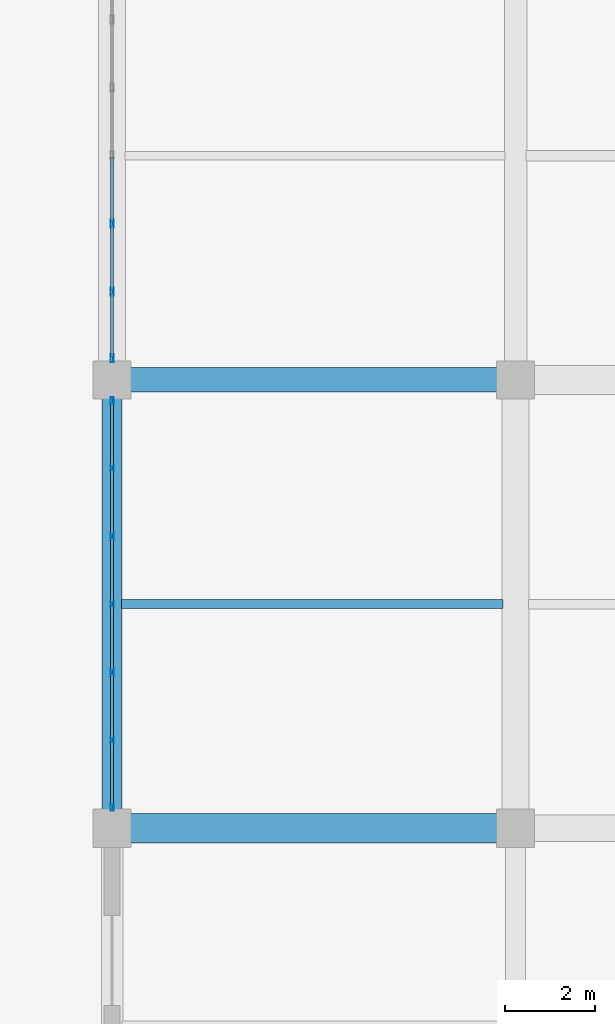
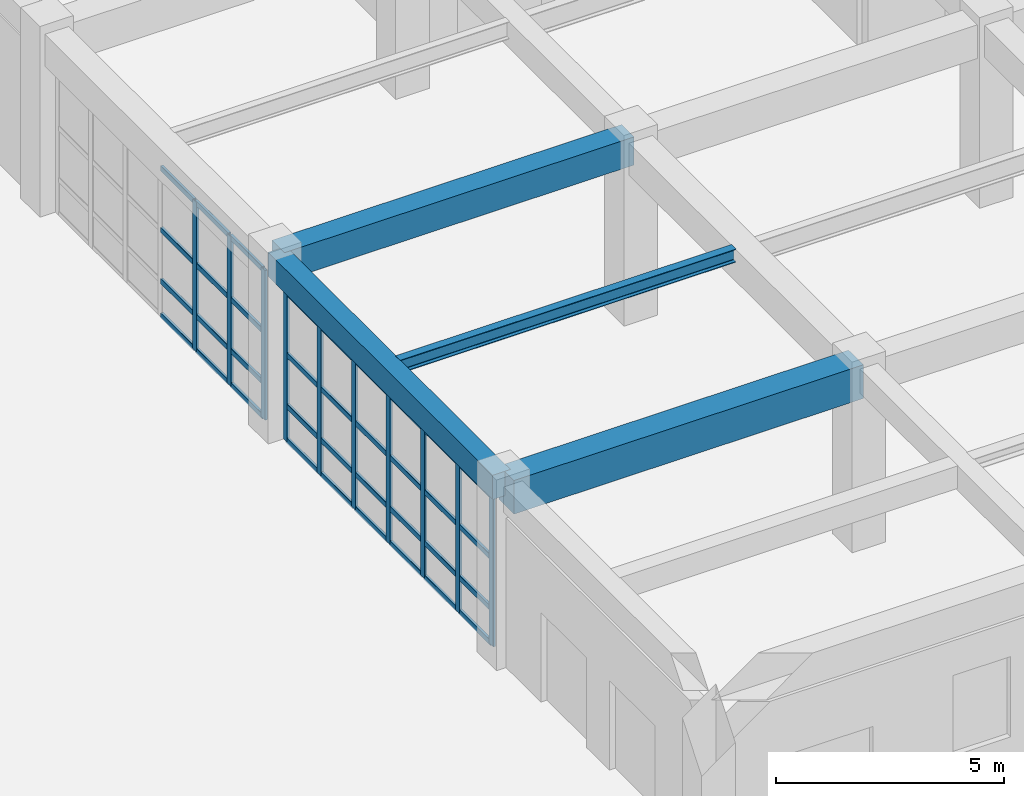
# One storey, part 39 of 128: 46 members, 4 beams, 2 elements without a shape of their own.
"""IFC4 building model written with IfcOpenShell, lengths in metres."""

from ifc_helpers import new_model, si_unit, direction, frame, origin, origin_2d, place, context, subcontext, project, spatial, rectangle, hollow_rectangle, i_section, extrude, material, material_profile, profile_set, type_object, element, aggregate, save


model = new_model("IFC4")

# Units and contexts
model_context = context("Model", 3, precision=1e-05, world=origin(), true_north=direction((0.0, 1.0)))
body_context = subcontext(model_context, "Body", "Model", "MODEL_VIEW")
ifc_project = project(units=[si_unit("LENGTHUNIT", "METRE"), si_unit("AREAUNIT", "SQUARE_METRE"), si_unit("VOLUMEUNIT", "CUBIC_METRE"), si_unit("PLANEANGLEUNIT", "RADIAN"), si_unit("MASSUNIT", "GRAM", prefix="KILO")], contexts=[model_context])

# Site, building, storey
site_placement = place(None, origin())
site = spatial("IfcSite", under=ifc_project, at=site_placement, CompositionType="ELEMENT")
building_placement = place(site_placement, origin())
building = spatial("IfcBuilding", under=site, at=building_placement, Name="Miravela Opera House", CompositionType="ELEMENT")
storey_placement = place(building_placement, origin())
storey = spatial("IfcBuildingStorey", under=building, at=storey_placement, Name="L00", CompositionType="ELEMENT", Elevation=0.0)

# Curtain wall, members
ifc_material_1 = material(Name="Anodised architectural bronze aluminium 6063-T6", Category="aluminium")
curtain_wall_type = type_object("IfcCurtainWallType", Name="ARC-CW-01", PredefinedType="NOTDEFINED", material=ifc_material_1)
curtain_wall_1_placement = place(storey_placement, origin())
curtain_wall_1 = element("IfcCurtainWall", 1, at=curtain_wall_1_placement, inside=storey, type_object=curtain_wall_type, Name="West Foyer Recessed Glazing South CW-L00-001", PredefinedType="NOTDEFINED")
ifc_material_profile_1 = material_profile(ifc_material_1, hollow_rectangle(XDim=0.06494140625, YDim=0.179931640625, WallThickness=0.00390625, InnerFilletRadius=0.001953125, OuterFilletRadius=0.00390625, at=origin_2d()), Name="CWM-65X180")
ifc_profile_set_1 = profile_set([ifc_material_profile_1])
member_type_1 = type_object("IfcMemberType", Name="ARC-CWM-180", PredefinedType="MULLION", material=ifc_profile_set_1)
member_1_placement = place(storey_placement, frame((27.0, 46.482421875, 0.0), z_axis=(0.0, 0.0, 1.0), x_axis=(-1.0, 0.0, 0.0)))
member_1 = element("IfcMember", 2, at=member_1_placement, type_object=member_type_1, Name="CW-01 mullion 1", PredefinedType="MULLION", context=body_context, shape_type="SweptSolid", body=[
    extrude(hollow_rectangle(XDim=0.06494140625, YDim=0.179931640625, WallThickness=0.00390625, InnerFilletRadius=0.001953125, OuterFilletRadius=0.00390625, at=origin_2d()), origin(), (0.0, 0.0, 1.0), 4.0),
])
member_2_placement = place(storey_placement, frame((27.0, 47.966552734375, 0.0), z_axis=(0.0, 0.0, 1.0), x_axis=(-1.0, 0.0, 0.0)))
member_2 = element("IfcMember", 3, at=member_2_placement, type_object=member_type_1, Name="CW-01 mullion 2", PredefinedType="MULLION", context=body_context, shape_type="SweptSolid", body=[
    extrude(hollow_rectangle(XDim=0.06494140625, YDim=0.179931640625, WallThickness=0.00390625, InnerFilletRadius=0.001953125, OuterFilletRadius=0.00390625, at=origin_2d()), origin(), (0.0, 0.0, 1.0), 4.0),
])
member_3_placement = place(storey_placement, frame((27.0, 49.4833984375, 0.0), z_axis=(0.0, 0.0, 1.0), x_axis=(-1.0, 0.0, 0.0)))
member_3 = element("IfcMember", 4, at=member_3_placement, type_object=member_type_1, Name="CW-01 mullion 3", PredefinedType="MULLION", context=body_context, shape_type="SweptSolid", body=[
    extrude(hollow_rectangle(XDim=0.06494140625, YDim=0.179931640625, WallThickness=0.00390625, InnerFilletRadius=0.001953125, OuterFilletRadius=0.00390625, at=origin_2d()), origin(), (0.0, 0.0, 1.0), 4.0),
])
member_4_placement = place(storey_placement, frame((27.0, 51.0, 0.0), z_axis=(0.0, 0.0, 1.0), x_axis=(-1.0, 0.0, 0.0)))
member_4 = element("IfcMember", 5, at=member_4_placement, type_object=member_type_1, Name="CW-01 mullion 4", PredefinedType="MULLION", context=body_context, shape_type="SweptSolid", body=[
    extrude(hollow_rectangle(XDim=0.06494140625, YDim=0.179931640625, WallThickness=0.00390625, InnerFilletRadius=0.001953125, OuterFilletRadius=0.00390625, at=origin_2d()), origin(), (0.0, 0.0, 1.0), 4.0),
])
member_5_placement = place(storey_placement, frame((27.0, 52.5166015625, 0.0), z_axis=(0.0, 0.0, 1.0), x_axis=(-1.0, 0.0, 0.0)))
member_5 = element("IfcMember", 6, at=member_5_placement, type_object=member_type_1, Name="CW-01 mullion 5", PredefinedType="MULLION", context=body_context, shape_type="SweptSolid", body=[
    extrude(hollow_rectangle(XDim=0.06494140625, YDim=0.179931640625, WallThickness=0.00390625, InnerFilletRadius=0.001953125, OuterFilletRadius=0.00390625, at=origin_2d()), origin(), (0.0, 0.0, 1.0), 4.0),
])
member_6_placement = place(storey_placement, frame((27.0, 54.033447265625, 0.0), z_axis=(0.0, 0.0, 1.0), x_axis=(-1.0, 0.0, 0.0)))
member_6 = element("IfcMember", 7, at=member_6_placement, type_object=member_type_1, Name="CW-01 mullion 6", PredefinedType="MULLION", context=body_context, shape_type="SweptSolid", body=[
    extrude(hollow_rectangle(XDim=0.06494140625, YDim=0.179931640625, WallThickness=0.00390625, InnerFilletRadius=0.001953125, OuterFilletRadius=0.00390625, at=origin_2d()), origin(), (0.0, 0.0, 1.0), 4.0),
])
member_7_placement = place(storey_placement, frame((27.0, 55.517578125, 0.0), z_axis=(0.0, 0.0, 1.0), x_axis=(-1.0, 0.0, 0.0)))
member_7 = element("IfcMember", 8, at=member_7_placement, type_object=member_type_1, Name="CW-01 mullion 7", PredefinedType="MULLION", context=body_context, shape_type="SweptSolid", body=[
    extrude(hollow_rectangle(XDim=0.06494140625, YDim=0.179931640625, WallThickness=0.00390625, InnerFilletRadius=0.001953125, OuterFilletRadius=0.00390625, at=origin_2d()), origin(), (0.0, 0.0, 1.0), 4.0),
])

curtain_wall_2_placement = place(storey_placement, origin())
curtain_wall_2 = element("IfcCurtainWall", 9, at=curtain_wall_2_placement, inside=storey, type_object=curtain_wall_type, Name="West Foyer Recessed Glazing North CW-L00-002", PredefinedType="NOTDEFINED")
member_8_placement = place(storey_placement, frame((27.0, 56.482421875, 0.0), z_axis=(0.0, 0.0, 1.0), x_axis=(-1.0, 0.0, 0.0)))
member_8 = element("IfcMember", 10, at=member_8_placement, type_object=member_type_1, Name="CW-01 mullion 1", PredefinedType="MULLION", context=body_context, shape_type="SweptSolid", body=[
    extrude(hollow_rectangle(XDim=0.06494140625, YDim=0.179931640625, WallThickness=0.00390625, InnerFilletRadius=0.001953125, OuterFilletRadius=0.00390625, at=origin_2d()), origin(), (0.0, 0.0, 1.0), 4.0),
])
member_9_placement = place(storey_placement, frame((27.0, 57.966552734375, 0.0), z_axis=(0.0, 0.0, 1.0), x_axis=(-1.0, 0.0, 0.0)))
member_9 = element("IfcMember", 11, at=member_9_placement, type_object=member_type_1, Name="CW-01 mullion 2", PredefinedType="MULLION", context=body_context, shape_type="SweptSolid", body=[
    extrude(hollow_rectangle(XDim=0.06494140625, YDim=0.179931640625, WallThickness=0.00390625, InnerFilletRadius=0.001953125, OuterFilletRadius=0.00390625, at=origin_2d()), origin(), (0.0, 0.0, 1.0), 4.0),
])
member_10_placement = place(storey_placement, frame((27.0, 59.4833984375, 0.0), z_axis=(0.0, 0.0, 1.0), x_axis=(-1.0, 0.0, 0.0)))
member_10 = element("IfcMember", 12, at=member_10_placement, type_object=member_type_1, Name="CW-01 mullion 3", PredefinedType="MULLION", context=body_context, shape_type="SweptSolid", body=[
    extrude(hollow_rectangle(XDim=0.06494140625, YDim=0.179931640625, WallThickness=0.00390625, InnerFilletRadius=0.001953125, OuterFilletRadius=0.00390625, at=origin_2d()), origin(), (0.0, 0.0, 1.0), 4.0),
])

# Member
ifc_material_profile_2 = material_profile(ifc_material_1, hollow_rectangle(XDim=0.06494140625, YDim=0.139892578125, WallThickness=0.00390625, InnerFilletRadius=0.001953125, OuterFilletRadius=0.00390625, at=origin_2d()), Name="CWT-65X140")
ifc_profile_set_2 = profile_set([ifc_material_profile_2])
member_type_2 = type_object("IfcMemberType", Name="ARC-CWT-140", PredefinedType="USERDEFINED", material=ifc_profile_set_2)
member_11_placement = place(storey_placement, frame((27.0, 46.514892578125, 0.032470703125), z_axis=(0.0, 1.0, 0.0), x_axis=(-1.0, 0.0, 0.0)))
member_11 = element("IfcMember", 13, at=member_11_placement, type_object=member_type_2, Name="CW-01 transom 1.1", ObjectType="TRANSOM", PredefinedType="USERDEFINED", context=body_context, shape_type="SweptSolid", body=[
    extrude(hollow_rectangle(XDim=0.06494140625, YDim=0.139892578125, WallThickness=0.00390625, InnerFilletRadius=0.001953125, OuterFilletRadius=0.00390625, at=origin_2d()), origin(), (0.0, 0.0, 1.0), 1.419189453125),
])

member_12_placement = place(storey_placement, frame((27.0, 46.514892578125, 0.949951171875), z_axis=(0.0, 1.0, 0.0), x_axis=(-1.0, 0.0, 0.0)))
member_12 = element("IfcMember", 14, at=member_12_placement, type_object=member_type_2, Name="CW-01 transom 1.2", ObjectType="TRANSOM", PredefinedType="USERDEFINED", context=body_context, shape_type="SweptSolid", body=[
    extrude(hollow_rectangle(XDim=0.06494140625, YDim=0.139892578125, WallThickness=0.00390625, InnerFilletRadius=0.001953125, OuterFilletRadius=0.00390625, at=origin_2d()), origin(), (0.0, 0.0, 1.0), 1.419189453125),
])

member_13_placement = place(storey_placement, frame((27.0, 46.514892578125, 2.320068359375), z_axis=(0.0, 1.0, 0.0), x_axis=(-1.0, 0.0, 0.0)))
member_13 = element("IfcMember", 15, at=member_13_placement, type_object=member_type_2, Name="CW-01 transom 1.3", ObjectType="TRANSOM", PredefinedType="USERDEFINED", context=body_context, shape_type="SweptSolid", body=[
    extrude(hollow_rectangle(XDim=0.06494140625, YDim=0.139892578125, WallThickness=0.00390625, InnerFilletRadius=0.001953125, OuterFilletRadius=0.00390625, at=origin_2d()), origin(), (0.0, 0.0, 1.0), 1.419189453125),
])

member_14_placement = place(storey_placement, frame((27.0, 46.514892578125, 3.967529296875), z_axis=(0.0, 1.0, 0.0), x_axis=(-1.0, 0.0, 0.0)))
member_14 = element("IfcMember", 16, at=member_14_placement, type_object=member_type_2, Name="CW-01 transom 1.4", ObjectType="TRANSOM", PredefinedType="USERDEFINED", context=body_context, shape_type="SweptSolid", body=[
    extrude(hollow_rectangle(XDim=0.06494140625, YDim=0.139892578125, WallThickness=0.00390625, InnerFilletRadius=0.001953125, OuterFilletRadius=0.00390625, at=origin_2d()), origin(), (0.0, 0.0, 1.0), 1.419189453125),
])

member_15_placement = place(storey_placement, frame((27.0, 47.999267578125, 0.032470703125), z_axis=(0.0, 1.0, 0.0), x_axis=(-1.0, 0.0, 0.0)))
member_15 = element("IfcMember", 17, at=member_15_placement, type_object=member_type_2, Name="CW-01 transom 2.1", ObjectType="TRANSOM", PredefinedType="USERDEFINED", context=body_context, shape_type="SweptSolid", body=[
    extrude(hollow_rectangle(XDim=0.06494140625, YDim=0.139892578125, WallThickness=0.00390625, InnerFilletRadius=0.001953125, OuterFilletRadius=0.00390625, at=origin_2d()), origin(), (0.0, 0.0, 1.0), 1.45166015625),
])

member_16_placement = place(storey_placement, frame((27.0, 47.999267578125, 0.949951171875), z_axis=(0.0, 1.0, 0.0), x_axis=(-1.0, 0.0, 0.0)))
member_16 = element("IfcMember", 18, at=member_16_placement, type_object=member_type_2, Name="CW-01 transom 2.2", ObjectType="TRANSOM", PredefinedType="USERDEFINED", context=body_context, shape_type="SweptSolid", body=[
    extrude(hollow_rectangle(XDim=0.06494140625, YDim=0.139892578125, WallThickness=0.00390625, InnerFilletRadius=0.001953125, OuterFilletRadius=0.00390625, at=origin_2d()), origin(), (0.0, 0.0, 1.0), 1.45166015625),
])

member_17_placement = place(storey_placement, frame((27.0, 47.999267578125, 2.320068359375), z_axis=(0.0, 1.0, 0.0), x_axis=(-1.0, 0.0, 0.0)))
member_17 = element("IfcMember", 19, at=member_17_placement, type_object=member_type_2, Name="CW-01 transom 2.3", ObjectType="TRANSOM", PredefinedType="USERDEFINED", context=body_context, shape_type="SweptSolid", body=[
    extrude(hollow_rectangle(XDim=0.06494140625, YDim=0.139892578125, WallThickness=0.00390625, InnerFilletRadius=0.001953125, OuterFilletRadius=0.00390625, at=origin_2d()), origin(), (0.0, 0.0, 1.0), 1.45166015625),
])

member_18_placement = place(storey_placement, frame((27.0, 47.999267578125, 3.967529296875), z_axis=(0.0, 1.0, 0.0), x_axis=(-1.0, 0.0, 0.0)))
member_18 = element("IfcMember", 20, at=member_18_placement, type_object=member_type_2, Name="CW-01 transom 2.4", ObjectType="TRANSOM", PredefinedType="USERDEFINED", context=body_context, shape_type="SweptSolid", body=[
    extrude(hollow_rectangle(XDim=0.06494140625, YDim=0.139892578125, WallThickness=0.00390625, InnerFilletRadius=0.001953125, OuterFilletRadius=0.00390625, at=origin_2d()), origin(), (0.0, 0.0, 1.0), 1.45166015625),
])

member_19_placement = place(storey_placement, frame((27.0, 49.515869140625, 0.032470703125), z_axis=(0.0, 1.0, 0.0), x_axis=(-1.0, 0.0, 0.0)))
member_19 = element("IfcMember", 21, at=member_19_placement, type_object=member_type_2, Name="CW-01 transom 3.1", ObjectType="TRANSOM", PredefinedType="USERDEFINED", context=body_context, shape_type="SweptSolid", body=[
    extrude(hollow_rectangle(XDim=0.06494140625, YDim=0.139892578125, WallThickness=0.00390625, InnerFilletRadius=0.001953125, OuterFilletRadius=0.00390625, at=origin_2d()), origin(), (0.0, 0.0, 1.0), 1.45166015625),
])

member_20_placement = place(storey_placement, frame((27.0, 49.515869140625, 0.949951171875), z_axis=(0.0, 1.0, 0.0), x_axis=(-1.0, 0.0, 0.0)))
member_20 = element("IfcMember", 22, at=member_20_placement, type_object=member_type_2, Name="CW-01 transom 3.2", ObjectType="TRANSOM", PredefinedType="USERDEFINED", context=body_context, shape_type="SweptSolid", body=[
    extrude(hollow_rectangle(XDim=0.06494140625, YDim=0.139892578125, WallThickness=0.00390625, InnerFilletRadius=0.001953125, OuterFilletRadius=0.00390625, at=origin_2d()), origin(), (0.0, 0.0, 1.0), 1.45166015625),
])

member_21_placement = place(storey_placement, frame((27.0, 49.515869140625, 2.320068359375), z_axis=(0.0, 1.0, 0.0), x_axis=(-1.0, 0.0, 0.0)))
member_21 = element("IfcMember", 23, at=member_21_placement, type_object=member_type_2, Name="CW-01 transom 3.3", ObjectType="TRANSOM", PredefinedType="USERDEFINED", context=body_context, shape_type="SweptSolid", body=[
    extrude(hollow_rectangle(XDim=0.06494140625, YDim=0.139892578125, WallThickness=0.00390625, InnerFilletRadius=0.001953125, OuterFilletRadius=0.00390625, at=origin_2d()), origin(), (0.0, 0.0, 1.0), 1.45166015625),
])

member_22_placement = place(storey_placement, frame((27.0, 49.515869140625, 3.967529296875), z_axis=(0.0, 1.0, 0.0), x_axis=(-1.0, 0.0, 0.0)))
member_22 = element("IfcMember", 24, at=member_22_placement, type_object=member_type_2, Name="CW-01 transom 3.4", ObjectType="TRANSOM", PredefinedType="USERDEFINED", context=body_context, shape_type="SweptSolid", body=[
    extrude(hollow_rectangle(XDim=0.06494140625, YDim=0.139892578125, WallThickness=0.00390625, InnerFilletRadius=0.001953125, OuterFilletRadius=0.00390625, at=origin_2d()), origin(), (0.0, 0.0, 1.0), 1.45166015625),
])

member_23_placement = place(storey_placement, frame((27.0, 51.032470703125, 0.032470703125), z_axis=(0.0, 1.0, 0.0), x_axis=(-1.0, 0.0, 0.0)))
member_23 = element("IfcMember", 25, at=member_23_placement, type_object=member_type_2, Name="CW-01 transom 4.1", ObjectType="TRANSOM", PredefinedType="USERDEFINED", context=body_context, shape_type="SweptSolid", body=[
    extrude(hollow_rectangle(XDim=0.06494140625, YDim=0.139892578125, WallThickness=0.00390625, InnerFilletRadius=0.001953125, OuterFilletRadius=0.00390625, at=origin_2d()), origin(), (0.0, 0.0, 1.0), 1.45166015625),
])

member_24_placement = place(storey_placement, frame((27.0, 51.032470703125, 0.949951171875), z_axis=(0.0, 1.0, 0.0), x_axis=(-1.0, 0.0, 0.0)))
member_24 = element("IfcMember", 26, at=member_24_placement, type_object=member_type_2, Name="CW-01 transom 4.2", ObjectType="TRANSOM", PredefinedType="USERDEFINED", context=body_context, shape_type="SweptSolid", body=[
    extrude(hollow_rectangle(XDim=0.06494140625, YDim=0.139892578125, WallThickness=0.00390625, InnerFilletRadius=0.001953125, OuterFilletRadius=0.00390625, at=origin_2d()), origin(), (0.0, 0.0, 1.0), 1.45166015625),
])

member_25_placement = place(storey_placement, frame((27.0, 51.032470703125, 2.320068359375), z_axis=(0.0, 1.0, 0.0), x_axis=(-1.0, 0.0, 0.0)))
member_25 = element("IfcMember", 27, at=member_25_placement, type_object=member_type_2, Name="CW-01 transom 4.3", ObjectType="TRANSOM", PredefinedType="USERDEFINED", context=body_context, shape_type="SweptSolid", body=[
    extrude(hollow_rectangle(XDim=0.06494140625, YDim=0.139892578125, WallThickness=0.00390625, InnerFilletRadius=0.001953125, OuterFilletRadius=0.00390625, at=origin_2d()), origin(), (0.0, 0.0, 1.0), 1.45166015625),
])

member_26_placement = place(storey_placement, frame((27.0, 51.032470703125, 3.967529296875), z_axis=(0.0, 1.0, 0.0), x_axis=(-1.0, 0.0, 0.0)))
member_26 = element("IfcMember", 28, at=member_26_placement, type_object=member_type_2, Name="CW-01 transom 4.4", ObjectType="TRANSOM", PredefinedType="USERDEFINED", context=body_context, shape_type="SweptSolid", body=[
    extrude(hollow_rectangle(XDim=0.06494140625, YDim=0.139892578125, WallThickness=0.00390625, InnerFilletRadius=0.001953125, OuterFilletRadius=0.00390625, at=origin_2d()), origin(), (0.0, 0.0, 1.0), 1.45166015625),
])

member_27_placement = place(storey_placement, frame((27.0, 52.549072265625, 0.032470703125), z_axis=(0.0, 1.0, 0.0), x_axis=(-1.0, 0.0, 0.0)))
member_27 = element("IfcMember", 29, at=member_27_placement, type_object=member_type_2, Name="CW-01 transom 5.1", ObjectType="TRANSOM", PredefinedType="USERDEFINED", context=body_context, shape_type="SweptSolid", body=[
    extrude(hollow_rectangle(XDim=0.06494140625, YDim=0.139892578125, WallThickness=0.00390625, InnerFilletRadius=0.001953125, OuterFilletRadius=0.00390625, at=origin_2d()), origin(), (0.0, 0.0, 1.0), 1.45166015625),
])

member_28_placement = place(storey_placement, frame((27.0, 52.549072265625, 0.949951171875), z_axis=(0.0, 1.0, 0.0), x_axis=(-1.0, 0.0, 0.0)))
member_28 = element("IfcMember", 30, at=member_28_placement, type_object=member_type_2, Name="CW-01 transom 5.2", ObjectType="TRANSOM", PredefinedType="USERDEFINED", context=body_context, shape_type="SweptSolid", body=[
    extrude(hollow_rectangle(XDim=0.06494140625, YDim=0.139892578125, WallThickness=0.00390625, InnerFilletRadius=0.001953125, OuterFilletRadius=0.00390625, at=origin_2d()), origin(), (0.0, 0.0, 1.0), 1.45166015625),
])

member_29_placement = place(storey_placement, frame((27.0, 52.549072265625, 2.320068359375), z_axis=(0.0, 1.0, 0.0), x_axis=(-1.0, 0.0, 0.0)))
member_29 = element("IfcMember", 31, at=member_29_placement, type_object=member_type_2, Name="CW-01 transom 5.3", ObjectType="TRANSOM", PredefinedType="USERDEFINED", context=body_context, shape_type="SweptSolid", body=[
    extrude(hollow_rectangle(XDim=0.06494140625, YDim=0.139892578125, WallThickness=0.00390625, InnerFilletRadius=0.001953125, OuterFilletRadius=0.00390625, at=origin_2d()), origin(), (0.0, 0.0, 1.0), 1.45166015625),
])

member_30_placement = place(storey_placement, frame((27.0, 52.549072265625, 3.967529296875), z_axis=(0.0, 1.0, 0.0), x_axis=(-1.0, 0.0, 0.0)))
member_30 = element("IfcMember", 32, at=member_30_placement, type_object=member_type_2, Name="CW-01 transom 5.4", ObjectType="TRANSOM", PredefinedType="USERDEFINED", context=body_context, shape_type="SweptSolid", body=[
    extrude(hollow_rectangle(XDim=0.06494140625, YDim=0.139892578125, WallThickness=0.00390625, InnerFilletRadius=0.001953125, OuterFilletRadius=0.00390625, at=origin_2d()), origin(), (0.0, 0.0, 1.0), 1.45166015625),
])

member_31_placement = place(storey_placement, frame((27.0, 54.06591796875, 0.032470703125), z_axis=(0.0, 1.0, 0.0), x_axis=(-1.0, 0.0, 0.0)))
member_31 = element("IfcMember", 33, at=member_31_placement, type_object=member_type_2, Name="CW-01 transom 6.1", ObjectType="TRANSOM", PredefinedType="USERDEFINED", context=body_context, shape_type="SweptSolid", body=[
    extrude(hollow_rectangle(XDim=0.06494140625, YDim=0.139892578125, WallThickness=0.00390625, InnerFilletRadius=0.001953125, OuterFilletRadius=0.00390625, at=origin_2d()), origin(), (0.0, 0.0, 1.0), 1.419189453125),
])

member_32_placement = place(storey_placement, frame((27.0, 54.06591796875, 0.949951171875), z_axis=(0.0, 1.0, 0.0), x_axis=(-1.0, 0.0, 0.0)))
member_32 = element("IfcMember", 34, at=member_32_placement, type_object=member_type_2, Name="CW-01 transom 6.2", ObjectType="TRANSOM", PredefinedType="USERDEFINED", context=body_context, shape_type="SweptSolid", body=[
    extrude(hollow_rectangle(XDim=0.06494140625, YDim=0.139892578125, WallThickness=0.00390625, InnerFilletRadius=0.001953125, OuterFilletRadius=0.00390625, at=origin_2d()), origin(), (0.0, 0.0, 1.0), 1.419189453125),
])

member_33_placement = place(storey_placement, frame((27.0, 54.06591796875, 2.320068359375), z_axis=(0.0, 1.0, 0.0), x_axis=(-1.0, 0.0, 0.0)))
member_33 = element("IfcMember", 35, at=member_33_placement, type_object=member_type_2, Name="CW-01 transom 6.3", ObjectType="TRANSOM", PredefinedType="USERDEFINED", context=body_context, shape_type="SweptSolid", body=[
    extrude(hollow_rectangle(XDim=0.06494140625, YDim=0.139892578125, WallThickness=0.00390625, InnerFilletRadius=0.001953125, OuterFilletRadius=0.00390625, at=origin_2d()), origin(), (0.0, 0.0, 1.0), 1.419189453125),
])

member_34_placement = place(storey_placement, frame((27.0, 54.06591796875, 3.967529296875), z_axis=(0.0, 1.0, 0.0), x_axis=(-1.0, 0.0, 0.0)))
member_34 = element("IfcMember", 36, at=member_34_placement, type_object=member_type_2, Name="CW-01 transom 6.4", ObjectType="TRANSOM", PredefinedType="USERDEFINED", context=body_context, shape_type="SweptSolid", body=[
    extrude(hollow_rectangle(XDim=0.06494140625, YDim=0.139892578125, WallThickness=0.00390625, InnerFilletRadius=0.001953125, OuterFilletRadius=0.00390625, at=origin_2d()), origin(), (0.0, 0.0, 1.0), 1.419189453125),
])

aggregate(curtain_wall_1, [member_1, member_2, member_3, member_4, member_5, member_6, member_7, member_11, member_12, member_13, member_14, member_15, member_16, member_17, member_18, member_19, member_20, member_21, member_22, member_23, member_24, member_25, member_26, member_27, member_28, member_29, member_30, member_31, member_32, member_33, member_34])

member_35_placement = place(storey_placement, frame((27.0, 56.514892578125, 0.032470703125), z_axis=(0.0, 1.0, 0.0), x_axis=(-1.0, 0.0, 0.0)))
member_35 = element("IfcMember", 37, at=member_35_placement, type_object=member_type_2, Name="CW-01 transom 1.1", ObjectType="TRANSOM", PredefinedType="USERDEFINED", context=body_context, shape_type="SweptSolid", body=[
    extrude(hollow_rectangle(XDim=0.06494140625, YDim=0.139892578125, WallThickness=0.00390625, InnerFilletRadius=0.001953125, OuterFilletRadius=0.00390625, at=origin_2d()), origin(), (0.0, 0.0, 1.0), 1.419189453125),
])

member_36_placement = place(storey_placement, frame((27.0, 56.514892578125, 0.949951171875), z_axis=(0.0, 1.0, 0.0), x_axis=(-1.0, 0.0, 0.0)))
member_36 = element("IfcMember", 38, at=member_36_placement, type_object=member_type_2, Name="CW-01 transom 1.2", ObjectType="TRANSOM", PredefinedType="USERDEFINED", context=body_context, shape_type="SweptSolid", body=[
    extrude(hollow_rectangle(XDim=0.06494140625, YDim=0.139892578125, WallThickness=0.00390625, InnerFilletRadius=0.001953125, OuterFilletRadius=0.00390625, at=origin_2d()), origin(), (0.0, 0.0, 1.0), 1.419189453125),
])

member_37_placement = place(storey_placement, frame((27.0, 56.514892578125, 2.320068359375), z_axis=(0.0, 1.0, 0.0), x_axis=(-1.0, 0.0, 0.0)))
member_37 = element("IfcMember", 39, at=member_37_placement, type_object=member_type_2, Name="CW-01 transom 1.3", ObjectType="TRANSOM", PredefinedType="USERDEFINED", context=body_context, shape_type="SweptSolid", body=[
    extrude(hollow_rectangle(XDim=0.06494140625, YDim=0.139892578125, WallThickness=0.00390625, InnerFilletRadius=0.001953125, OuterFilletRadius=0.00390625, at=origin_2d()), origin(), (0.0, 0.0, 1.0), 1.419189453125),
])

member_38_placement = place(storey_placement, frame((27.0, 56.514892578125, 3.967529296875), z_axis=(0.0, 1.0, 0.0), x_axis=(-1.0, 0.0, 0.0)))
member_38 = element("IfcMember", 40, at=member_38_placement, type_object=member_type_2, Name="CW-01 transom 1.4", ObjectType="TRANSOM", PredefinedType="USERDEFINED", context=body_context, shape_type="SweptSolid", body=[
    extrude(hollow_rectangle(XDim=0.06494140625, YDim=0.139892578125, WallThickness=0.00390625, InnerFilletRadius=0.001953125, OuterFilletRadius=0.00390625, at=origin_2d()), origin(), (0.0, 0.0, 1.0), 1.419189453125),
])

member_39_placement = place(storey_placement, frame((27.0, 57.999267578125, 0.032470703125), z_axis=(0.0, 1.0, 0.0), x_axis=(-1.0, 0.0, 0.0)))
member_39 = element("IfcMember", 41, at=member_39_placement, type_object=member_type_2, Name="CW-01 transom 2.1", ObjectType="TRANSOM", PredefinedType="USERDEFINED", context=body_context, shape_type="SweptSolid", body=[
    extrude(hollow_rectangle(XDim=0.06494140625, YDim=0.139892578125, WallThickness=0.00390625, InnerFilletRadius=0.001953125, OuterFilletRadius=0.00390625, at=origin_2d()), origin(), (0.0, 0.0, 1.0), 1.45166015625),
])

member_40_placement = place(storey_placement, frame((27.0, 57.999267578125, 0.949951171875), z_axis=(0.0, 1.0, 0.0), x_axis=(-1.0, 0.0, 0.0)))
member_40 = element("IfcMember", 42, at=member_40_placement, type_object=member_type_2, Name="CW-01 transom 2.2", ObjectType="TRANSOM", PredefinedType="USERDEFINED", context=body_context, shape_type="SweptSolid", body=[
    extrude(hollow_rectangle(XDim=0.06494140625, YDim=0.139892578125, WallThickness=0.00390625, InnerFilletRadius=0.001953125, OuterFilletRadius=0.00390625, at=origin_2d()), origin(), (0.0, 0.0, 1.0), 1.45166015625),
])

member_41_placement = place(storey_placement, frame((27.0, 57.999267578125, 2.320068359375), z_axis=(0.0, 1.0, 0.0), x_axis=(-1.0, 0.0, 0.0)))
member_41 = element("IfcMember", 43, at=member_41_placement, type_object=member_type_2, Name="CW-01 transom 2.3", ObjectType="TRANSOM", PredefinedType="USERDEFINED", context=body_context, shape_type="SweptSolid", body=[
    extrude(hollow_rectangle(XDim=0.06494140625, YDim=0.139892578125, WallThickness=0.00390625, InnerFilletRadius=0.001953125, OuterFilletRadius=0.00390625, at=origin_2d()), origin(), (0.0, 0.0, 1.0), 1.45166015625),
])

member_42_placement = place(storey_placement, frame((27.0, 57.999267578125, 3.967529296875), z_axis=(0.0, 1.0, 0.0), x_axis=(-1.0, 0.0, 0.0)))
member_42 = element("IfcMember", 44, at=member_42_placement, type_object=member_type_2, Name="CW-01 transom 2.4", ObjectType="TRANSOM", PredefinedType="USERDEFINED", context=body_context, shape_type="SweptSolid", body=[
    extrude(hollow_rectangle(XDim=0.06494140625, YDim=0.139892578125, WallThickness=0.00390625, InnerFilletRadius=0.001953125, OuterFilletRadius=0.00390625, at=origin_2d()), origin(), (0.0, 0.0, 1.0), 1.45166015625),
])

member_43_placement = place(storey_placement, frame((27.0, 59.515869140625, 0.032470703125), z_axis=(0.0, 1.0, 0.0), x_axis=(-1.0, 0.0, 0.0)))
member_43 = element("IfcMember", 45, at=member_43_placement, type_object=member_type_2, Name="CW-01 transom 3.1", ObjectType="TRANSOM", PredefinedType="USERDEFINED", context=body_context, shape_type="SweptSolid", body=[
    extrude(hollow_rectangle(XDim=0.06494140625, YDim=0.139892578125, WallThickness=0.00390625, InnerFilletRadius=0.001953125, OuterFilletRadius=0.00390625, at=origin_2d()), origin(), (0.0, 0.0, 1.0), 1.45166015625),
])

member_44_placement = place(storey_placement, frame((27.0, 59.515869140625, 0.949951171875), z_axis=(0.0, 1.0, 0.0), x_axis=(-1.0, 0.0, 0.0)))
member_44 = element("IfcMember", 46, at=member_44_placement, type_object=member_type_2, Name="CW-01 transom 3.2", ObjectType="TRANSOM", PredefinedType="USERDEFINED", context=body_context, shape_type="SweptSolid", body=[
    extrude(hollow_rectangle(XDim=0.06494140625, YDim=0.139892578125, WallThickness=0.00390625, InnerFilletRadius=0.001953125, OuterFilletRadius=0.00390625, at=origin_2d()), origin(), (0.0, 0.0, 1.0), 1.45166015625),
])

member_45_placement = place(storey_placement, frame((27.0, 59.515869140625, 2.320068359375), z_axis=(0.0, 1.0, 0.0), x_axis=(-1.0, 0.0, 0.0)))
member_45 = element("IfcMember", 47, at=member_45_placement, type_object=member_type_2, Name="CW-01 transom 3.3", ObjectType="TRANSOM", PredefinedType="USERDEFINED", context=body_context, shape_type="SweptSolid", body=[
    extrude(hollow_rectangle(XDim=0.06494140625, YDim=0.139892578125, WallThickness=0.00390625, InnerFilletRadius=0.001953125, OuterFilletRadius=0.00390625, at=origin_2d()), origin(), (0.0, 0.0, 1.0), 1.45166015625),
])

member_46_placement = place(storey_placement, frame((27.0, 59.515869140625, 3.967529296875), z_axis=(0.0, 1.0, 0.0), x_axis=(-1.0, 0.0, 0.0)))
member_46 = element("IfcMember", 48, at=member_46_placement, type_object=member_type_2, Name="CW-01 transom 3.4", ObjectType="TRANSOM", PredefinedType="USERDEFINED", context=body_context, shape_type="SweptSolid", body=[
    extrude(hollow_rectangle(XDim=0.06494140625, YDim=0.139892578125, WallThickness=0.00390625, InnerFilletRadius=0.001953125, OuterFilletRadius=0.00390625, at=origin_2d()), origin(), (0.0, 0.0, 1.0), 1.45166015625),
])

aggregate(curtain_wall_2, [member_8, member_9, member_10, member_35, member_36, member_37, member_38, member_39, member_40, member_41, member_42, member_43, member_44, member_45, member_46])

# Beams
ifc_material_2 = material(Name="Concrete C35/45", Category="concrete")
ifc_material_profile_3 = material_profile(ifc_material_2, rectangle(XDim=0.449951171875, YDim=0.64990234375, at=origin_2d()), Name="RC-BM-450X650")
ifc_profile_set_3 = profile_set([ifc_material_profile_3])
beam_type_1 = type_object("IfcBeamType", Name="STR-BM-RC450X650", PredefinedType="BEAM", material=ifc_profile_set_3)
beam_1_placement = place(storey_placement, frame((27.0, 46.080078125, 4.52490234375), z_axis=(0.0, 1.0, 0.0), x_axis=(-1.0, 0.0, 0.0)))
element("IfcBeam", 49, at=beam_1_placement, inside=storey, type_object=beam_type_1, Name="Floor Girder L00 4/F-G", PredefinedType="BEAM", context=body_context, shape_type="SweptSolid", body=[
    extrude(rectangle(XDim=0.449951171875, YDim=0.64990234375, at=origin_2d()), origin(), (0.0, 0.0, 1.0), 9.83984375),
])
ifc_material_profile_4 = material_profile(ifc_material_2, rectangle(XDim=0.550048828125, YDim=0.75, at=origin_2d()), Name="RC-BM-550X750")
ifc_profile_set_4 = profile_set([ifc_material_profile_4])
beam_type_2 = type_object("IfcBeamType", Name="STR-BM-RC550X750", PredefinedType="BEAM", material=ifc_profile_set_4)
beam_2_placement = place(storey_placement, frame((27.080078125, 56.0, 4.47509765625), z_axis=(1.0, 0.0, 0.0), x_axis=(0.0, 1.0, 0.0)))
element("IfcBeam", 50, at=beam_2_placement, inside=storey, type_object=beam_type_2, Name="Floor Girder L00 4-5/G", PredefinedType="BEAM", context=body_context, shape_type="SweptSolid", body=[
    extrude(rectangle(XDim=0.550048828125, YDim=0.75, at=origin_2d()), origin(), (0.0, 0.0, 1.0), 8.83984375),
])
ifc_material_3 = material(Name="Concrete C40/50", Category="concrete")
ifc_material_profile_5 = material_profile(ifc_material_3, rectangle(XDim=0.64990234375, YDim=0.89990234375, at=origin_2d()), Name="RC-BM-650X900")
ifc_profile_set_5 = profile_set([ifc_material_profile_5])
beam_type_3 = type_object("IfcBeamType", Name="STR-BM-RC650X900", PredefinedType="BEAM", material=ifc_profile_set_5)
beam_3_placement = place(storey_placement, frame((27.080078125, 46.0, 4.39990234375), z_axis=(1.0, 0.0, 0.0), x_axis=(0.0, 1.0, 0.0)))
element("IfcBeam", 51, at=beam_3_placement, inside=storey, type_object=beam_type_3, Name="Floor Girder L00 4-5/F", PredefinedType="BEAM", context=body_context, shape_type="SweptSolid", body=[
    extrude(rectangle(XDim=0.64990234375, YDim=0.89990234375, at=origin_2d()), origin(), (0.0, 0.0, 1.0), 8.83984375),
])
ifc_material_4 = material(Name="Structural steel ASTM A992 Gr. 50", Category="steel")
ifc_material_profile_6 = material_profile(ifc_material_4, i_section(OverallWidth=0.2041015625, OverallDepth=0.35009765625, WebThickness=0.008544921875, FlangeThickness=0.01513671875, FilletRadius=0.013916015625, at=origin_2d()), Name="W360X72")
ifc_profile_set_6 = profile_set([ifc_material_profile_6])
beam_type_4 = type_object("IfcBeamType", Name="STR-BM-W360X72", PredefinedType="JOIST", material=ifc_profile_set_6)
beam_4_placement = place(storey_placement, frame((27.2099609375, 51.0, 4.675048828125), z_axis=(1.0, 0.0, 0.0), x_axis=(0.0, 1.0, 0.0)))
element("IfcBeam", 52, at=beam_4_placement, inside=storey, type_object=beam_type_4, Name="Secondary Floor Joist L00 4-5/F-G", PredefinedType="JOIST", context=body_context, shape_type="SweptSolid", body=[
    extrude(i_section(OverallWidth=0.2041015625, OverallDepth=0.35009765625, WebThickness=0.008544921875, FlangeThickness=0.01513671875, FilletRadius=0.013916015625, at=origin_2d()), origin(), (0.0, 0.0, 1.0), 8.505126953125),
])

save(model, "model.ifc")
